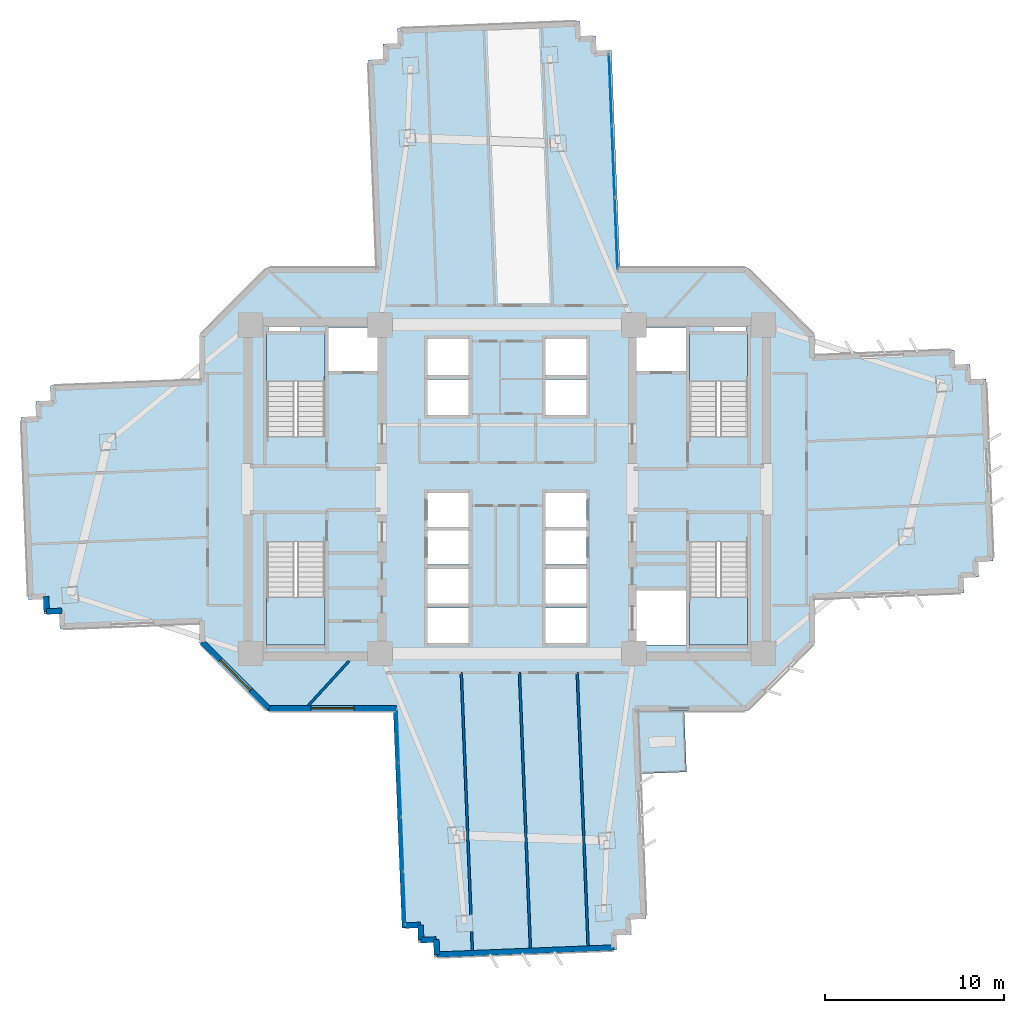
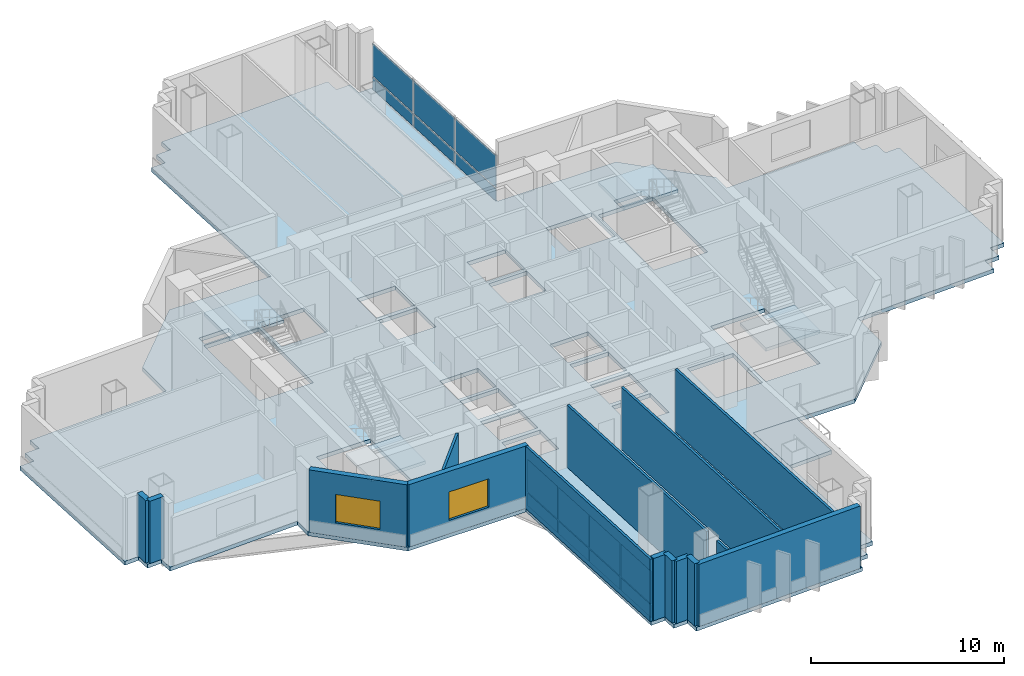
# One storey, part 5 of 16: 15 walls, 14 plates, 6 slabs, 2 windows, 2 openings, 6 elements without a shape of their own.
"""IFC4 building model written with IfcOpenShell, lengths in metres."""

from ifc_helpers import new_model, si_unit, direction, frame, frame_2d, origin, origin_2d, place, context, subcontext, project, spatial, polyline, rectangle, outline, extrude, source, transform, mapped, material, layer, layer_set, type_object, element, fill, aggregate, save


model = new_model("IFC4")

# Units and contexts
model_context = context("Model", 3, precision=1e-05, world=origin(), true_north=direction((0.0, 1.0)))
body_context = subcontext(model_context, "Body", "Model", "MODEL_VIEW")
ifc_project = project(units=[si_unit("LENGTHUNIT", "METRE"), si_unit("AREAUNIT", "SQUARE_METRE"), si_unit("VOLUMEUNIT", "CUBIC_METRE"), si_unit("PLANEANGLEUNIT", "RADIAN"), si_unit("MASSUNIT", "GRAM", prefix="KILO")], contexts=[model_context])

# Site, building, storey
site_placement = place(None, origin())
site = spatial("IfcSite", under=ifc_project, at=site_placement, CompositionType="ELEMENT")
building_placement = place(site_placement, origin())
building = spatial("IfcBuilding", under=site, at=building_placement, Name="Zahravan Cultural Tower", CompositionType="ELEMENT")
storey_placement = place(building_placement, frame((0.0, 0.0, 62.699951171875)))
storey = spatial("IfcBuildingStorey", under=building, at=storey_placement, Name="L13", CompositionType="ELEMENT", Elevation=62.699951171875)

# Stair, slab
ifc_material_1 = material(Name="Concrete C45/55", Category="concrete")
stair_type = type_object("IfcStairType", Name="STR-DL-1550-420", PredefinedType="HALF_TURN_STAIR", material=ifc_material_1)
stair_1_placement = place(storey_placement, origin())
stair_1 = element("IfcStair", 1, at=stair_1_placement, inside=storey, type_object=stair_type, Name="L13 West Core North Exit Stair ST-W1", PredefinedType="HALF_TURN_STAIR")
ifc_layer_1 = layer(ifc_material_1, 0.199951171875)
ifc_layer_set_1 = layer_set([ifc_layer_1], Name="Concrete C45/55")
slab_type_1 = type_object("IfcSlabType", Name="SL-STAIR-LND200", PredefinedType="LANDING", material=ifc_layer_set_1)
slab_1_placement = place(storey_placement, frame((0.0, 0.0, 1.900146484375)))
slab_1 = element("IfcSlab", 2, at=slab_1_placement, type_object=slab_type_1, Name="ST-W1 landing 1", PredefinedType="LANDING", context=body_context, shape_type="SweptSolid", body=[
    extrude(outline(polyline([(25.800048828125, 33.030029296875), (25.800048828125, 35.699951171875), (22.550048828125, 35.699951171875), (22.550048828125, 33.030029296875), (25.800048828125, 33.030029296875)])), origin(), (0.0, 0.0, 1.0), 0.199951171875),
])
aggregate(stair_1, [slab_1])

stair_2_placement = place(storey_placement, origin())
stair_2 = element("IfcStair", 3, at=stair_2_placement, inside=storey, type_object=stair_type, Name="L13 West Core South Exit Stair ST-W2", PredefinedType="HALF_TURN_STAIR")
slab_2_placement = place(storey_placement, frame((0.0, 0.0, 1.900146484375)))
slab_2 = element("IfcSlab", 4, at=slab_2_placement, type_object=slab_type_1, Name="ST-W2 landing 1", PredefinedType="LANDING", context=body_context, shape_type="SweptSolid", body=[
    extrude(outline(polyline([(22.550048828125, 20.969970703125), (22.550048828125, 18.300048828125), (25.800048828125, 18.300048828125), (25.800048828125, 20.969970703125), (22.550048828125, 20.969970703125)])), origin(), (0.0, 0.0, 1.0), 0.199951171875),
])
aggregate(stair_2, [slab_2])

stair_3_placement = place(storey_placement, origin())
stair_3 = element("IfcStair", 5, at=stair_3_placement, inside=storey, type_object=stair_type, Name="L13 East Core North Exit Stair ST-E1", PredefinedType="HALF_TURN_STAIR")
slab_3_placement = place(storey_placement, frame((0.0, 0.0, 1.900146484375)))
slab_3 = element("IfcSlab", 6, at=slab_3_placement, type_object=slab_type_1, Name="ST-E1 landing 1", PredefinedType="LANDING", context=body_context, shape_type="SweptSolid", body=[
    extrude(outline(polyline([(49.449951171875, 33.030029296875), (49.449951171875, 35.699951171875), (46.199951171875, 35.699951171875), (46.199951171875, 33.030029296875), (49.449951171875, 33.030029296875)])), origin(), (0.0, 0.0, 1.0), 0.199951171875),
])
aggregate(stair_3, [slab_3])

stair_4_placement = place(storey_placement, origin())
stair_4 = element("IfcStair", 7, at=stair_4_placement, inside=storey, type_object=stair_type, Name="L13 East Core South Exit Stair ST-E2", PredefinedType="HALF_TURN_STAIR")
slab_4_placement = place(storey_placement, frame((0.0, 0.0, 1.900146484375)))
slab_4 = element("IfcSlab", 8, at=slab_4_placement, type_object=slab_type_1, Name="ST-E2 landing 1", PredefinedType="LANDING", context=body_context, shape_type="SweptSolid", body=[
    extrude(outline(polyline([(46.199951171875, 20.969970703125), (46.199951171875, 18.300048828125), (49.449951171875, 18.300048828125), (49.449951171875, 20.969970703125), (46.199951171875, 20.969970703125)])), origin(), (0.0, 0.0, 1.0), 0.199951171875),
])
aggregate(stair_4, [slab_4])

# Slabs
ifc_material_2 = material(Name="Concrete C40/50", Category="concrete")
ifc_layer_2 = layer(ifc_material_2, 0.239990234375)
ifc_layer_set_2 = layer_set([ifc_layer_2], Name="Concrete C40/50")
slab_type_2 = type_object("IfcSlabType", Name="SL-TERR-240", PredefinedType="FLOOR", material=ifc_layer_set_2)
slab_5_placement = place(storey_placement, frame((0.0, 0.0, -0.239990234375)))
element("IfcSlab", 9, at=slab_5_placement, inside=storey, type_object=slab_type_2, Name="L13 Planted Sculpture Terrace SE", PredefinedType="FLOOR", context=body_context, shape_type="SweptSolid", body=[
    extrude(outline(polyline([(46.037109375, 11.186767578125), (45.9013671875, 14.594970703125), (43.30419921875, 14.594970703125), (43.444091796875, 11.08349609375), (46.037109375, 11.186767578125)])), origin(), (0.0, 0.0, 1.0), 0.239990234375),
])
ifc_layer_3 = layer(ifc_material_2, 0.25)
ifc_layer_set_3 = layer_set([ifc_layer_3], Name="Concrete C40/50")
slab_type_3 = type_object("IfcSlabType", Name="SL-TYP-250", PredefinedType="FLOOR", material=ifc_layer_set_3)
slab_6_placement = place(storey_placement, frame((0.0, 0.0, -0.25)))
element("IfcSlab", 10, at=slab_6_placement, inside=storey, type_object=slab_type_3, Name="L13 Structural Floor Slab", PredefinedType="FLOOR", context=body_context, shape_type="SweptSolid", body=[
    extrude(outline(polyline([(53.199951171875, 34.490234375), (53.199951171875, 35.60009765625), (49.39990234375, 39.39990234375), (42.311767578125, 39.39990234375), (41.827880859375, 51.55126953125), (40.978515625, 51.517578125), (40.944580078125, 52.36669921875), (40.095458984375, 52.3330078125), (40.0615234375, 53.182373046875), (29.86962890625, 52.776611328125), (29.903564453125, 51.92724609375), (29.05419921875, 51.893310546875), (29.087890625, 51.044189453125), (28.23876953125, 51.01025390625), (28.700927734375, 39.39990234375), (22.60009765625, 39.39990234375), (18.800048828125, 35.60009765625), (18.800048828125, 33.12060546875), (10.449462890625, 32.7880859375), (10.4833984375, 31.938720703125), (9.634033203125, 31.905029296875), (9.667724609375, 31.0556640625), (8.818603515625, 31.021728515625), (9.224365234375, 20.829833984375), (10.073486328125, 20.86376953125), (10.107421875, 20.014404296875), (10.956787109375, 20.048095703125), (10.990478515625, 19.198974609375), (18.800048828125, 19.509765625), (18.800048828125, 18.39990234375), (22.60009765625, 14.60009765625), (29.688232421875, 14.60009765625), (30.172119140625, 2.44873046875), (31.021484375, 2.482421875), (31.055419921875, 1.63330078125), (31.904541015625, 1.6669921875), (31.9384765625, 0.817626953125), (42.13037109375, 1.223388671875), (42.096435546875, 2.07275390625), (42.94580078125, 2.106689453125), (42.912109375, 2.955810546875), (43.76123046875, 2.98974609375), (43.299072265625, 14.60009765625), (49.39990234375, 14.60009765625), (53.199951171875, 18.39990234375), (53.199951171875, 20.87939453125), (61.550537109375, 21.2119140625), (61.5166015625, 22.061279296875), (62.365966796875, 22.094970703125), (62.332275390625, 22.9443359375), (63.181396484375, 22.978271484375), (62.775634765625, 33.170166015625), (61.926513671875, 33.13623046875), (61.892578125, 33.985595703125), (61.043212890625, 33.951904296875), (61.009521484375, 34.801025390625), (53.199951171875, 34.490234375)]), holes=[polyline([(22.550048828125, 29.949951171875), (22.550048828125, 35.699951171875), (25.800048828125, 35.699951171875), (25.800048828125, 29.949951171875), (22.550048828125, 29.949951171875)]), polyline([(22.550048828125, 18.300048828125), (22.550048828125, 24.050048828125), (25.800048828125, 24.050048828125), (25.800048828125, 18.300048828125), (22.550048828125, 18.300048828125)]), polyline([(46.199951171875, 29.949951171875), (46.199951171875, 35.699951171875), (49.449951171875, 35.699951171875), (49.449951171875, 29.949951171875), (46.199951171875, 29.949951171875)]), polyline([(46.199951171875, 18.300048828125), (46.199951171875, 24.050048828125), (49.449951171875, 24.050048828125), (49.449951171875, 18.300048828125), (46.199951171875, 18.300048828125)]), polyline([(26.0, 33.60009765625), (26.0, 36.050048828125), (28.75, 36.050048828125), (28.75, 33.60009765625), (26.0, 33.60009765625)]), polyline([(43.25, 33.60009765625), (43.25, 36.050048828125), (46.0, 36.050048828125), (46.0, 33.60009765625), (43.25, 33.60009765625)]), polyline([(43.25, 18.300048828125), (43.25, 21.35009765625), (46.0, 21.35009765625), (46.0, 18.300048828125), (43.25, 18.300048828125)]), polyline([(31.550048828125, 33.39990234375), (31.550048828125, 35.39990234375), (33.85009765625, 35.39990234375), (33.85009765625, 33.39990234375), (31.550048828125, 33.39990234375)]), polyline([(31.550048828125, 31.14990234375), (31.550048828125, 33.14990234375), (33.85009765625, 33.14990234375), (33.85009765625, 31.14990234375), (31.550048828125, 31.14990234375)]), polyline([(38.14990234375, 33.39990234375), (38.14990234375, 35.39990234375), (40.449951171875, 35.39990234375), (40.449951171875, 33.39990234375), (38.14990234375, 33.39990234375)]), polyline([(38.14990234375, 31.14990234375), (38.14990234375, 33.14990234375), (40.449951171875, 33.14990234375), (40.449951171875, 31.14990234375), (38.14990234375, 31.14990234375)]), polyline([(31.550048828125, 20.60009765625), (31.550048828125, 22.550048828125), (33.85009765625, 22.550048828125), (33.85009765625, 20.60009765625), (31.550048828125, 20.60009765625)]), polyline([(31.550048828125, 18.39990234375), (31.550048828125, 20.35009765625), (33.85009765625, 20.35009765625), (33.85009765625, 18.39990234375), (31.550048828125, 18.39990234375)]), polyline([(38.14990234375, 20.60009765625), (38.14990234375, 22.550048828125), (40.449951171875, 22.550048828125), (40.449951171875, 20.60009765625), (38.14990234375, 20.60009765625)]), polyline([(38.14990234375, 18.39990234375), (38.14990234375, 20.35009765625), (40.449951171875, 20.35009765625), (40.449951171875, 18.39990234375), (38.14990234375, 18.39990234375)]), polyline([(31.550048828125, 24.89990234375), (31.550048828125, 26.800048828125), (33.85009765625, 26.800048828125), (33.85009765625, 24.89990234375), (31.550048828125, 24.89990234375)]), polyline([(31.550048828125, 22.800048828125), (31.550048828125, 24.699951171875), (33.85009765625, 24.699951171875), (33.85009765625, 22.800048828125), (31.550048828125, 22.800048828125)]), polyline([(38.14990234375, 24.89990234375), (38.14990234375, 26.800048828125), (40.449951171875, 26.800048828125), (40.449951171875, 24.89990234375), (38.14990234375, 24.89990234375)]), polyline([(38.14990234375, 22.800048828125), (38.14990234375, 24.699951171875), (40.449951171875, 24.699951171875), (40.449951171875, 22.800048828125), (38.14990234375, 22.800048828125)]), polyline([(22.64990234375, 35.800048828125), (22.64990234375, 36.419921875), (24.449951171875, 36.419921875), (24.449951171875, 35.800048828125), (22.64990234375, 35.800048828125)]), polyline([(47.550048828125, 35.800048828125), (47.550048828125, 36.419921875), (49.35009765625, 36.419921875), (49.35009765625, 35.800048828125), (47.550048828125, 35.800048828125)])]), origin(), (0.0, 0.0, 1.0), 0.25),
])

# Curtain wall, plates
ifc_material_3 = material(Name="Anodised bronze-aluminium mullion", Category="aluminium")
ifc_layer_4 = layer(ifc_material_3, 0.1650390625)
ifc_layer_set_4 = layer_set([ifc_layer_4], Name="Anodised bronze-aluminium mullion")
curtain_wall_type_1 = type_object("IfcCurtainWallType", Name="CW-SYS-4", PredefinedType="USERDEFINED", material=ifc_layer_set_4)
curtain_wall_1_placement = place(storey_placement, origin())
curtain_wall_1 = element("IfcCurtainWall", 11, at=curtain_wall_1_placement, inside=storey, type_object=curtain_wall_type_1, Name="L13 Recessed Curtain Wall CW-4.1", ObjectType="RECESSED GLAZING", PredefinedType="USERDEFINED")
ifc_material_4 = material(Name="Low-E solar-control double glazing", Category="glass")
ifc_layer_5 = layer(ifc_material_4, 0.02587890625)
ifc_layer_set_5 = layer_set([ifc_layer_5], Name="Low-E solar-control double glazing")
plate_type_1 = type_object("IfcPlateType", Name="CWP-CW-4", PredefinedType="CURTAIN_PANEL", material=ifc_layer_set_5)
shared_shape_1 = source(origin(), body_context, "Body", "SweptSolid", [
    extrude(rectangle(XDim=2.94140625, YDim=0.02587890625, at=origin_2d()), origin(), (0.0, 0.0, 1.0), 0.802490234375),
])
plate_1_placement = place(storey_placement, frame((30.245361328125, 4.128662109375, 0.06494140625), z_axis=(0.0, 0.0, 1.0), x_axis=(-0.039784709273, 0.99920827504, 0.0)))
plate_1 = element("IfcPlate", 12, at=plate_1_placement, type_object=plate_type_1, Name="CW-4 panel 1.1", PredefinedType="CURTAIN_PANEL", context=body_context, shape_type="MappedRepresentation", body=[
    mapped(shared_shape_1, transform((0.0, 0.0, 0.0), x_axis=(1.0, 0.0, 0.0), y_axis=(0.0, 1.0, 0.0), z_axis=(0.0, 0.0, 1.0), scale=1.0)),
])
plate_2_placement = place(storey_placement, frame((29.8837890625, 13.20556640625, 0.06494140625), z_axis=(0.0, 0.0, 1.0), x_axis=(-0.039784709273, 0.99920827504, 0.0)))
plate_2 = element("IfcPlate", 13, at=plate_2_placement, type_object=plate_type_1, Name="CW-4 panel 4.1", PredefinedType="CURTAIN_PANEL", context=body_context, shape_type="MappedRepresentation", body=[
    mapped(shared_shape_1, transform((0.0, 0.0, 0.0), x_axis=(1.0, 0.0, 0.0), y_axis=(0.0, 1.0, 0.0), z_axis=(0.0, 0.0, 1.0), scale=1.0)),
])
shared_shape_2 = source(origin(), body_context, "Body", "SweptSolid", [
    extrude(rectangle(XDim=2.94140625, YDim=0.02587890625, at=origin_2d()), origin(), (0.0, 0.0, 1.0), 2.072509765625),
])
plate_3_placement = place(storey_placement, frame((30.245361328125, 4.128662109375, 0.9326171875), z_axis=(0.0, 0.0, 1.0), x_axis=(-0.039784709273, 0.99920827504, 0.0)))
plate_3 = element("IfcPlate", 14, at=plate_3_placement, type_object=plate_type_1, Name="CW-4 panel 1.2", PredefinedType="CURTAIN_PANEL", context=body_context, shape_type="MappedRepresentation", body=[
    mapped(shared_shape_2, transform((0.0, 0.0, 0.0), x_axis=(1.0, 0.0, 0.0), y_axis=(0.0, 1.0, 0.0), z_axis=(0.0, 0.0, 1.0), scale=1.0)),
])
plate_4_placement = place(storey_placement, frame((29.8837890625, 13.20556640625, 0.9326171875), z_axis=(0.0, 0.0, 1.0), x_axis=(-0.039784709273, 0.99920827504, 0.0)))
plate_4 = element("IfcPlate", 15, at=plate_4_placement, type_object=plate_type_1, Name="CW-4 panel 4.2", PredefinedType="CURTAIN_PANEL", context=body_context, shape_type="MappedRepresentation", body=[
    mapped(shared_shape_2, transform((0.0, 0.0, 0.0), x_axis=(1.0, 0.0, 0.0), y_axis=(0.0, 1.0, 0.0), z_axis=(0.0, 0.0, 1.0), scale=1.0)),
])
shared_shape_3 = source(origin(), body_context, "Body", "SweptSolid", [
    extrude(rectangle(XDim=2.973876953125, YDim=0.02587890625, at=origin_2d()), origin(), (0.0, 0.0, 1.0), 0.802490234375),
])
plate_5_placement = place(storey_placement, frame((30.125, 7.14892578125, 0.06494140625), z_axis=(0.0, 0.0, 1.0), x_axis=(-0.039784709273, 0.99920827504, 0.0)))
plate_5 = element("IfcPlate", 16, at=plate_5_placement, type_object=plate_type_1, Name="CW-4 panel 2.1", PredefinedType="CURTAIN_PANEL", context=body_context, shape_type="MappedRepresentation", body=[
    mapped(shared_shape_3, transform((0.0, 0.0, 0.0), x_axis=(1.0, 0.0, 0.0), y_axis=(0.0, 1.0, 0.0), z_axis=(0.0, 0.0, 1.0), scale=1.0)),
])
plate_6_placement = place(storey_placement, frame((30.004150390625, 10.185302734375, 0.06494140625), z_axis=(0.0, 0.0, 1.0), x_axis=(-0.039784709273, 0.99920827504, 0.0)))
plate_6 = element("IfcPlate", 17, at=plate_6_placement, type_object=plate_type_1, Name="CW-4 panel 3.1", PredefinedType="CURTAIN_PANEL", context=body_context, shape_type="MappedRepresentation", body=[
    mapped(shared_shape_3, transform((0.0, 0.0, 0.0), x_axis=(1.0, 0.0, 0.0), y_axis=(0.0, 1.0, 0.0), z_axis=(0.0, 0.0, 1.0), scale=1.0)),
])
shared_shape_4 = source(origin(), body_context, "Body", "SweptSolid", [
    extrude(rectangle(XDim=2.973876953125, YDim=0.02587890625, at=origin_2d()), origin(), (0.0, 0.0, 1.0), 2.072509765625),
])
plate_7_placement = place(storey_placement, frame((30.125, 7.14892578125, 0.9326171875), z_axis=(0.0, 0.0, 1.0), x_axis=(-0.039784709273, 0.99920827504, 0.0)))
plate_7 = element("IfcPlate", 18, at=plate_7_placement, type_object=plate_type_1, Name="CW-4 panel 2.2", PredefinedType="CURTAIN_PANEL", context=body_context, shape_type="MappedRepresentation", body=[
    mapped(shared_shape_4, transform((0.0, 0.0, 0.0), x_axis=(1.0, 0.0, 0.0), y_axis=(0.0, 1.0, 0.0), z_axis=(0.0, 0.0, 1.0), scale=1.0)),
])
plate_8_placement = place(storey_placement, frame((30.004150390625, 10.185302734375, 0.9326171875), z_axis=(0.0, 0.0, 1.0), x_axis=(-0.039784709273, 0.99920827504, 0.0)))
plate_8 = element("IfcPlate", 19, at=plate_8_placement, type_object=plate_type_1, Name="CW-4 panel 3.2", PredefinedType="CURTAIN_PANEL", context=body_context, shape_type="MappedRepresentation", body=[
    mapped(shared_shape_4, transform((0.0, 0.0, 0.0), x_axis=(1.0, 0.0, 0.0), y_axis=(0.0, 1.0, 0.0), z_axis=(0.0, 0.0, 1.0), scale=1.0)),
])
aggregate(curtain_wall_1, [plate_1, plate_3, plate_5, plate_7, plate_6, plate_8, plate_2, plate_4])

ifc_layer_6 = layer(ifc_material_3, 0.219970703125)
ifc_layer_set_6 = layer_set([ifc_layer_6], Name="Anodised bronze-aluminium mullion")
curtain_wall_type_2 = type_object("IfcCurtainWallType", Name="CW-SYS-1", PredefinedType="USERDEFINED", material=ifc_layer_set_6)
curtain_wall_2_placement = place(storey_placement, origin())
curtain_wall_2 = element("IfcCurtainWall", 20, at=curtain_wall_2_placement, inside=storey, type_object=curtain_wall_type_2, Name="L13 Recessed Curtain Wall CW-1.2", ObjectType="RECESSED GLAZING", PredefinedType="USERDEFINED")
ifc_layer_7 = layer(ifc_material_4, 0.031982421875)
ifc_layer_set_7 = layer_set([ifc_layer_7], Name="Low-E solar-control double glazing")
plate_type_2 = type_object("IfcPlateType", Name="CWP-CW-1", PredefinedType="CURTAIN_PANEL", material=ifc_layer_set_7)
shared_shape_5 = source(origin(), body_context, "Body", "SweptSolid", [
    extrude(rectangle(XDim=3.931884765625, YDim=0.031982421875, at=origin_2d()), origin(), (0.0, 0.0, 1.0), 0.780029296875),
])
plate_9_placement = place(storey_placement, frame((41.77490234375, 49.361572265625, 0.080078125), z_axis=(0.0, 0.0, 1.0), x_axis=(0.039784709273, -0.99920827504, 0.0)))
plate_9 = element("IfcPlate", 21, at=plate_9_placement, type_object=plate_type_2, Name="CW-1 panel 1.1", PredefinedType="CURTAIN_PANEL", context=body_context, shape_type="MappedRepresentation", body=[
    mapped(shared_shape_5, transform((0.0, 0.0, 0.0), x_axis=(1.0, 0.0, 0.0), y_axis=(0.0, 1.0, 0.0), z_axis=(0.0, 0.0, 1.0), scale=1.0)),
])
plate_10_placement = place(storey_placement, frame((42.095703125, 41.30419921875, 0.080078125), z_axis=(0.0, 0.0, 1.0), x_axis=(0.039784709273, -0.99920827504, 0.0)))
plate_10 = element("IfcPlate", 22, at=plate_10_placement, type_object=plate_type_2, Name="CW-1 panel 3.1", PredefinedType="CURTAIN_PANEL", context=body_context, shape_type="MappedRepresentation", body=[
    mapped(shared_shape_5, transform((0.0, 0.0, 0.0), x_axis=(1.0, 0.0, 0.0), y_axis=(0.0, 1.0, 0.0), z_axis=(0.0, 0.0, 1.0), scale=1.0)),
])
shared_shape_6 = source(origin(), body_context, "Body", "SweptSolid", [
    extrude(rectangle(XDim=3.931884765625, YDim=0.031982421875, at=origin_2d()), origin(), (0.0, 0.0, 1.0), 2.050048828125),
])
plate_11_placement = place(storey_placement, frame((41.77490234375, 49.361572265625, 0.93994140625), z_axis=(0.0, 0.0, 1.0), x_axis=(0.039784709273, -0.99920827504, 0.0)))
plate_11 = element("IfcPlate", 23, at=plate_11_placement, type_object=plate_type_2, Name="CW-1 panel 1.2", PredefinedType="CURTAIN_PANEL", context=body_context, shape_type="MappedRepresentation", body=[
    mapped(shared_shape_6, transform((0.0, 0.0, 0.0), x_axis=(1.0, 0.0, 0.0), y_axis=(0.0, 1.0, 0.0), z_axis=(0.0, 0.0, 1.0), scale=1.0)),
])
plate_12_placement = place(storey_placement, frame((42.095703125, 41.30419921875, 0.93994140625), z_axis=(0.0, 0.0, 1.0), x_axis=(0.039784709273, -0.99920827504, 0.0)))
plate_12 = element("IfcPlate", 24, at=plate_12_placement, type_object=plate_type_2, Name="CW-1 panel 3.2", PredefinedType="CURTAIN_PANEL", context=body_context, shape_type="MappedRepresentation", body=[
    mapped(shared_shape_6, transform((0.0, 0.0, 0.0), x_axis=(1.0, 0.0, 0.0), y_axis=(0.0, 1.0, 0.0), z_axis=(0.0, 0.0, 1.0), scale=1.0)),
])
shared_shape_7 = source(origin(), body_context, "Body", "SweptSolid", [
    extrude(rectangle(XDim=3.971923828125, YDim=0.031982421875, at=origin_2d()), origin(), (0.0, 0.0, 1.0), 0.780029296875),
])
plate_13_placement = place(storey_placement, frame((41.935302734375, 45.3330078125, 0.080078125), z_axis=(0.0, 0.0, 1.0), x_axis=(0.039784709273, -0.99920827504, 0.0)))
plate_13 = element("IfcPlate", 25, at=plate_13_placement, type_object=plate_type_2, Name="CW-1 panel 2.1", PredefinedType="CURTAIN_PANEL", context=body_context, shape_type="MappedRepresentation", body=[
    mapped(shared_shape_7, transform((0.0, 0.0, 0.0), x_axis=(1.0, 0.0, 0.0), y_axis=(0.0, 1.0, 0.0), z_axis=(0.0, 0.0, 1.0), scale=1.0)),
])
shared_shape_8 = source(origin(), body_context, "Body", "SweptSolid", [
    extrude(rectangle(XDim=3.971923828125, YDim=0.031982421875, at=origin_2d()), origin(), (0.0, 0.0, 1.0), 2.050048828125),
])
plate_14_placement = place(storey_placement, frame((41.935302734375, 45.3330078125, 0.93994140625), z_axis=(0.0, 0.0, 1.0), x_axis=(0.039784709273, -0.99920827504, 0.0)))
plate_14 = element("IfcPlate", 26, at=plate_14_placement, type_object=plate_type_2, Name="CW-1 panel 2.2", PredefinedType="CURTAIN_PANEL", context=body_context, shape_type="MappedRepresentation", body=[
    mapped(shared_shape_8, transform((0.0, 0.0, 0.0), x_axis=(1.0, 0.0, 0.0), y_axis=(0.0, 1.0, 0.0), z_axis=(0.0, 0.0, 1.0), scale=1.0)),
])
aggregate(curtain_wall_2, [plate_9, plate_11, plate_13, plate_14, plate_10, plate_12])

# Wall, opening, window
ifc_material_5 = material(Name="Precast concrete C40/50", Category="concrete")
ifc_layer_8 = layer(ifc_material_5, 0.320068359375)
ifc_layer_set_8 = layer_set([ifc_layer_8], Name="Precast concrete C40/50")
wall_type_1 = type_object("IfcWallType", Name="EW-TC-320", PredefinedType="SOLIDWALL", material=ifc_layer_set_8)
wall_1_placement = place(storey_placement, frame((29.82275390625, 14.739990234375, 0.0), z_axis=(0.0, 0.0, 1.0), x_axis=(-1.0, 0.0, 0.0)))
wall_1 = element("IfcWall", 27, at=wall_1_placement, inside=storey, type_object=wall_type_1, Name="L13 Exterior Masonry Frame Wall 25", PredefinedType="SOLIDWALL", context=body_context, shape_type="SweptSolid", body=[
    extrude(rectangle(XDim=7.164794921875, YDim=0.320068359375, at=frame_2d((3.58251953125, 0.0))), origin(), (0.0, 0.0, 1.0), 3.949951171875),
])
opening_1_placement = place(wall_1_placement, frame((2.382080078125, 0.0, 0.85009765625)))
opening_1 = element("IfcOpeningElement", 28, at=opening_1_placement, cuts=wall_1, Name="Opening WN-01", PredefinedType="OPENING", context=body_context, shape_type="SweptSolid", body=[
    extrude(rectangle(XDim=2.39990234375, YDim=1.800048828125, at=frame_2d((1.199951171875, 0.89990234375))), frame((0.0, 0.169921875, 0.0), z_axis=(0.0, -1.0, 0.0), x_axis=(1.0, 0.0, 0.0)), (0.0, 0.0, 1.0), 0.340087890625),
])
window_type = type_object("IfcWindowType", Name="WN-REC-2400X1800", PartitioningType="DOUBLE_PANEL_VERTICAL", PredefinedType="WINDOW", material=ifc_material_4)
shared_shape_9 = source(origin(), body_context, "Body", "SweptSolid", [
    extrude(rectangle(XDim=2.39990234375, YDim=1.800048828125, at=frame_2d((1.199951171875, 0.89990234375))), frame((0.0, 0.030029296875, 0.0), z_axis=(0.0, -1.0, 0.0), x_axis=(1.0, 0.0, 0.0)), (0.0, 0.0, 1.0), 0.06005859375),
])
window_1_placement = place(opening_1_placement, origin())
window_1 = element("IfcWindow", 29, at=window_1_placement, inside=storey, type_object=window_type, Name="L13 Recessed Solar Window 06", OverallHeight=1.800048828125, OverallWidth=2.39990234375, PartitioningType="DOUBLE_PANEL_VERTICAL", PredefinedType="WINDOW", context=body_context, shape_type="MappedRepresentation", body=[
    mapped(shared_shape_9, transform((0.0, 0.0, 0.0), x_axis=(1.0, 0.0, 0.0), y_axis=(0.0, 1.0, 0.0), z_axis=(0.0, 0.0, 1.0), scale=1.0)),
])
fill(opening_1, window_1)

wall_2_placement = place(storey_placement, frame((22.657958984375, 14.739990234375, 0.0), z_axis=(0.0, 0.0, 1.0), x_axis=(-0.707106781187, 0.707106781187, 0.0)))
wall_2 = element("IfcWall", 30, at=wall_2_placement, inside=storey, type_object=wall_type_1, Name="L13 Exterior Masonry Frame Wall 26", PredefinedType="SOLIDWALL", context=body_context, shape_type="SweptSolid", body=[
    extrude(rectangle(XDim=5.258056640625, YDim=0.320068359375, at=frame_2d((2.62890625, 0.0))), origin(), (0.0, 0.0, 1.0), 3.949951171875),
])
opening_2_placement = place(wall_2_placement, frame((1.428955078125, 0.0, 0.85009765625)))
opening_2 = element("IfcOpeningElement", 31, at=opening_2_placement, cuts=wall_2, Name="Opening WN-01", PredefinedType="OPENING", context=body_context, shape_type="SweptSolid", body=[
    extrude(rectangle(XDim=2.39990234375, YDim=1.800048828125, at=frame_2d((1.199951171875, 0.89990234375))), frame((0.0, 0.169921875, 0.0), z_axis=(0.0, -1.0, 0.0), x_axis=(1.0, 0.0, 0.0)), (0.0, 0.0, 1.0), 0.340087890625),
])
window_2_placement = place(opening_2_placement, origin())
window_2 = element("IfcWindow", 32, at=window_2_placement, inside=storey, type_object=window_type, Name="L13 Recessed Solar Window 07", OverallHeight=1.800048828125, OverallWidth=2.39990234375, PartitioningType="DOUBLE_PANEL_VERTICAL", PredefinedType="WINDOW", context=body_context, shape_type="MappedRepresentation", body=[
    mapped(shared_shape_9, transform((0.0, 0.0, 0.0), x_axis=(1.0, 0.0, 0.0), y_axis=(0.0, 1.0, 0.0), z_axis=(0.0, 0.0, 1.0), scale=1.0)),
])
fill(opening_2, window_2)

# Walls
shared_shape_10 = source(origin(), body_context, "Body", "SweptSolid", [
    extrude(rectangle(XDim=0.849853515625, YDim=0.320068359375, at=frame_2d((0.4248046875, 0.0))), origin(), (0.0, 0.0, 1.0), 3.949951171875),
])
for number, where, z_axis, x_axis, name in (
    (33, (32.038818359375, 1.8125, 0.0), (0.0, 0.0, 1.0), (-0.999213757356, -0.039646779332, 0.0), "L13 Exterior Masonry Frame Wall 22"),
    (34, (31.189697265625, 1.77880859375, 0.0), (0.0, 0.0, 1.0), (-0.039933618331, 0.999202334929, 0.0), "L13 Exterior Masonry Frame Wall 23"),
):
    element("IfcWall", number, at=place(storey_placement, frame(where, z_axis=z_axis, x_axis=x_axis)), inside=storey, type_object=wall_type_1, Name=name, PredefinedType="SOLIDWALL", context=body_context, shape_type="MappedRepresentation", body=[
        mapped(shared_shape_10, transform((0.0, 0.0, 0.0), x_axis=(1.0, 0.0, 0.0), y_axis=(0.0, 1.0, 0.0), z_axis=(0.0, 0.0, 1.0), scale=1.0)),
    ])
shared_shape_11 = source(origin(), body_context, "Body", "SweptSolid", [
    extrude(rectangle(XDim=0.85009765625, YDim=0.320068359375, at=frame_2d((0.425048828125, 0.0))), origin(), (0.0, 0.0, 1.0), 3.949951171875),
])
for number, where, z_axis, x_axis, name in (
    (35, (32.07275390625, 0.963134765625, 0.0), (0.0, 0.0, 1.0), (-0.039922158152, 0.999202792875, 0.0), "L13 Exterior Masonry Frame Wall 21"),
    (36, (31.15576171875, 2.6279296875, 0.0), (0.0, 0.0, 1.0), (-0.999214208752, -0.039635401209, 0.0), "L13 Exterior Masonry Frame Wall 24"),
    (37, (11.091064453125, 20.193603515625, 0.0), (0.0, 0.0, 1.0), (-0.999214208752, -0.039635401209, 0.0), "L13 Exterior Masonry Frame Wall 30"),
    (38, (10.24169921875, 20.159912109375, 0.0), (0.0, 0.0, 1.0), (-0.039635401209, 0.999214208752, 0.0), "L13 Exterior Masonry Frame Wall 31"),
):
    element("IfcWall", number, at=place(storey_placement, frame(where, z_axis=z_axis, x_axis=x_axis)), inside=storey, type_object=wall_type_1, Name=name, PredefinedType="SOLIDWALL", context=body_context, shape_type="MappedRepresentation", body=[
        mapped(shared_shape_11, transform((0.0, 0.0, 0.0), x_axis=(1.0, 0.0, 0.0), y_axis=(0.0, 1.0, 0.0), z_axis=(0.0, 0.0, 1.0), scale=1.0)),
    ])
shared_shape_12 = source(origin(), body_context, "Body", "SweptSolid", [
    extrude(rectangle(XDim=9.919921875, YDim=0.320068359375, at=frame_2d((4.9599609375, 0.0))), origin(), (0.0, 0.0, 1.0), 3.949951171875),
])
wall_3_placement = place(storey_placement, frame((41.98486328125, 1.35791015625, 0.0), z_axis=(0.0, 0.0, 1.0), x_axis=(-0.999207823998, -0.039796035749, 0.0)))
element("IfcWall", 39, at=wall_3_placement, inside=storey, type_object=wall_type_1, Name="L13 Exterior Masonry Frame Wall 20", PredefinedType="SOLIDWALL", context=body_context, shape_type="MappedRepresentation", body=[
    mapped(shared_shape_12, transform((0.0, 0.0, 0.0), x_axis=(1.0, 0.0, 0.0), y_axis=(0.0, 1.0, 0.0), z_axis=(0.0, 0.0, 1.0), scale=1.0)),
])
ifc_material_6 = material(Name="Gypsum plasterboard partition")
ifc_layer_9 = layer(ifc_material_6, 0.139892578125)
ifc_layer_set_9 = layer_set([ifc_layer_9], Name="Gypsum plasterboard partition")
wall_type_2 = type_object("IfcWallType", Name="W-PART-140", PredefinedType="PARTITIONING", material=ifc_layer_set_9)
shared_shape_13 = source(origin(), body_context, "Body", "SweptSolid", [
    extrude(rectangle(XDim=15.415771484375, YDim=0.139892578125, at=frame_2d((7.7080078125, 0.0))), origin(), (0.0, 0.0, 1.0), 3.949951171875),
])
wall_4_placement = place(storey_placement, frame((37.302001953125, 1.33642578125, 0.0), z_axis=(0.0, 0.0, 1.0), x_axis=(-0.039782723686, 0.999208354096, 0.0)))
element("IfcWall", 40, at=wall_4_placement, inside=storey, type_object=wall_type_2, Name="L13 Interior Wall 100", PredefinedType="PARTITIONING", context=body_context, shape_type="MappedRepresentation", body=[
    mapped(shared_shape_13, transform((0.0, 0.0, 0.0), x_axis=(1.0, 0.0, 0.0), y_axis=(0.0, 1.0, 0.0), z_axis=(0.0, 0.0, 1.0), scale=1.0)),
])
shared_shape_14 = source(origin(), body_context, "Body", "SweptSolid", [
    extrude(rectangle(XDim=15.2861328125, YDim=0.139892578125, at=frame_2d((7.64306640625, 0.0))), origin(), (0.0, 0.0, 1.0), 3.949951171875),
])
wall_5_placement = place(storey_placement, frame((39.92138671875, 16.739013671875, 0.0), z_axis=(0.0, 0.0, 1.0), x_axis=(0.039769031662, -0.99920889914, 0.0)))
element("IfcWall", 41, at=wall_5_placement, inside=storey, type_object=wall_type_2, Name="L13 Interior Wall 102", PredefinedType="PARTITIONING", context=body_context, shape_type="MappedRepresentation", body=[
    mapped(shared_shape_14, transform((0.0, 0.0, 0.0), x_axis=(1.0, 0.0, 0.0), y_axis=(0.0, 1.0, 0.0), z_axis=(0.0, 0.0, 1.0), scale=1.0)),
])
shared_shape_15 = source(origin(), body_context, "Body", "SweptSolid", [
    extrude(rectangle(XDim=1.01611328125, YDim=0.139892578125, at=frame_2d((0.508056640625, 0.0))), origin(), (0.0, 0.0, 1.0), 3.949951171875),
])
wall_6_placement = place(storey_placement, frame((34.0546875, 1.207275390625, 0.0), z_axis=(0.0, 0.0, 1.0), x_axis=(-0.03988168596, 0.99920440908, 0.0)))
element("IfcWall", 42, at=wall_6_placement, inside=storey, type_object=wall_type_2, Name="L13 Interior Wall 106", PredefinedType="PARTITIONING", context=body_context, shape_type="MappedRepresentation", body=[
    mapped(shared_shape_15, transform((0.0, 0.0, 0.0), x_axis=(1.0, 0.0, 0.0), y_axis=(0.0, 1.0, 0.0), z_axis=(0.0, 0.0, 1.0), scale=1.0)),
])
shared_shape_16 = source(origin(), body_context, "Body", "SweptSolid", [
    extrude(rectangle(XDim=13.568115234375, YDim=0.139892578125, at=frame_2d((6.7841796875, 0.0))), origin(), (0.0, 0.0, 1.0), 3.949951171875),
])
wall_7_placement = place(storey_placement, frame((33.975830078125, 3.1826171875, 0.0), z_axis=(0.0, 0.0, 1.0), x_axis=(-0.039766111253, 0.99920901537, 0.0)))
element("IfcWall", 43, at=wall_7_placement, inside=storey, type_object=wall_type_2, Name="L13 Interior Wall 107", PredefinedType="PARTITIONING", context=body_context, shape_type="MappedRepresentation", body=[
    mapped(shared_shape_16, transform((0.0, 0.0, 0.0), x_axis=(1.0, 0.0, 0.0), y_axis=(0.0, 1.0, 0.0), z_axis=(0.0, 0.0, 1.0), scale=1.0)),
])
shared_shape_17 = source(origin(), body_context, "Body", "SweptSolid", [
    extrude(rectangle(XDim=3.374755859375, YDim=0.139892578125, at=frame_2d((1.6875, 0.0))), origin(), (0.0, 0.0, 1.0), 3.949951171875),
])
wall_8_placement = place(storey_placement, frame((27.161865234375, 17.39501953125, 0.0), z_axis=(0.0, 0.0, 1.0), x_axis=(-0.674974079893, -0.737841440604, 0.0)))
element("IfcWall", 44, at=wall_8_placement, inside=storey, type_object=wall_type_2, Name="L13 Interior Wall 122", PredefinedType="PARTITIONING", context=body_context, shape_type="MappedRepresentation", body=[
    mapped(shared_shape_17, transform((0.0, 0.0, 0.0), x_axis=(1.0, 0.0, 0.0), y_axis=(0.0, 1.0, 0.0), z_axis=(0.0, 0.0, 1.0), scale=1.0)),
])
shared_shape_18 = source(origin(), body_context, "Body", "SweptSolid", [
    extrude(rectangle(XDim=12.114990234375, YDim=0.139892578125, at=frame_2d((6.0576171875, 0.0))), origin(), (0.0, 0.0, 1.0), 3.949951171875),
])
wall_9_placement = place(storey_placement, frame((30.19140625, 2.469482421875, 0.0), z_axis=(0.0, 0.0, 1.0), x_axis=(-0.039799837716, 0.999207672568, 0.0)))
element("IfcWall", 45, at=wall_9_placement, inside=storey, type_object=wall_type_2, Name="L13 Interior Wall 126", PredefinedType="PARTITIONING", context=body_context, shape_type="MappedRepresentation", body=[
    mapped(shared_shape_18, transform((0.0, 0.0, 0.0), x_axis=(1.0, 0.0, 0.0), y_axis=(0.0, 1.0, 0.0), z_axis=(0.0, 0.0, 1.0), scale=1.0)),
])

save(model, "model.ifc")
